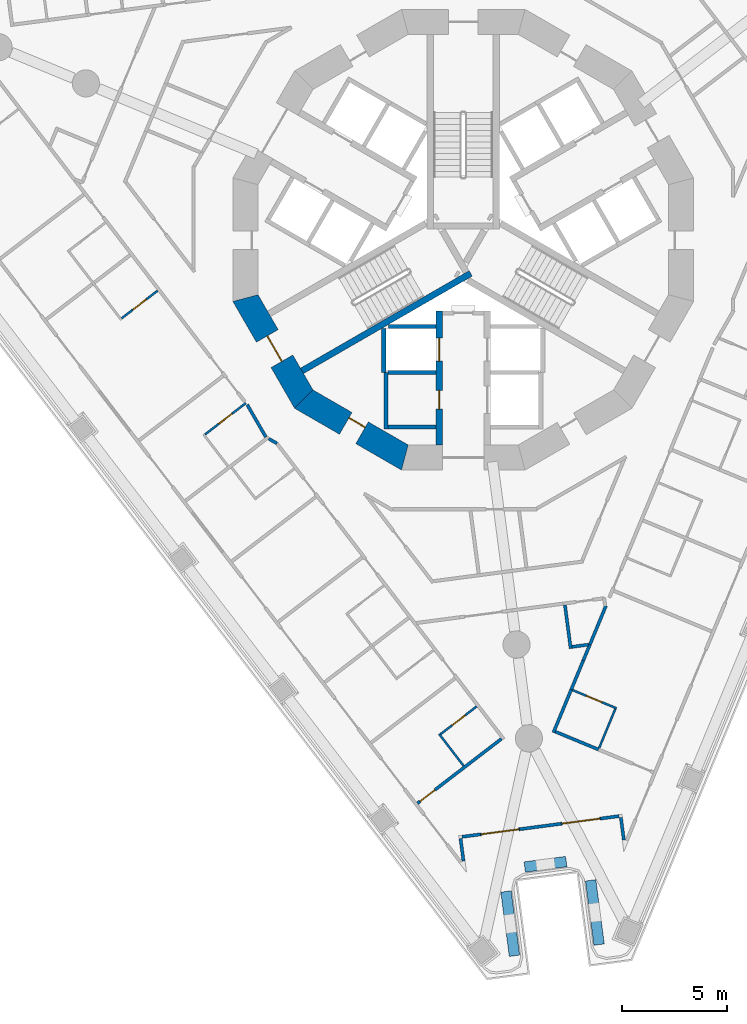
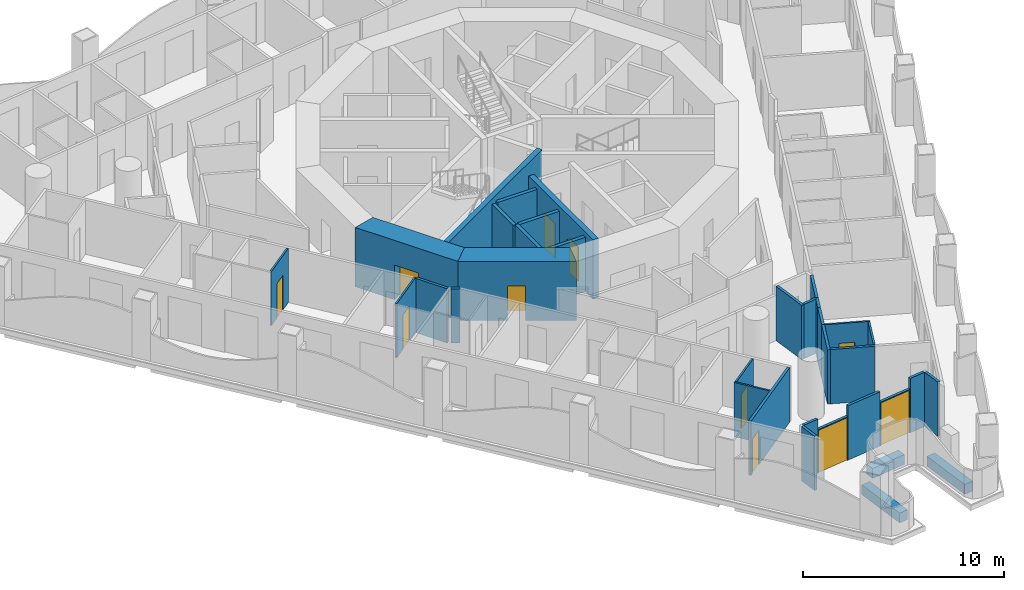
# One storey, part 3 of 19: 35 walls, 11 doors, 11 openings.
"""IFC4 building model written with IfcOpenShell, lengths in metres."""

import ifcopenshell
import ifcopenshell.guid

model = None  # the IFC model being written
_history = None  # IfcOwnerHistory: only IFC2X3 demands one
_inside = {}  # id of a spatial element -> (the spatial element, [elements in it])
_under = {}  # id of a project, library or spatial element -> (it, [spatial elements below it])
_declared = {}  # id of a project -> (the project, [libraries it declares])
_typed = {}  # id of a type object -> (the type object, [elements of that type])
_made_of = {}  # id of a material, layer set ... -> (it, [elements and type objects made of it])


def new_model(schema):
    """Start an empty IFC model of exactly this schema.

    Asked for "IFC4X3", IfcOpenShell would pick the latest addendum, in which some entities
    have other attributes; the version numbers below select the first issue.
    IFC2X3 requires an IfcOwnerHistory on every rooted entity: one is made here for all.
    """
    global model, _history
    if schema == "IFC4X3":
        model = ifcopenshell.file(schema_version=(4, 3, 0, 0))
    else:
        model = ifcopenshell.file(schema=schema)
    _inside.clear()
    _under.clear()
    _declared.clear()
    _typed.clear()
    _made_of.clear()
    _history = None
    if model.schema == "IFC2X3":
        org = make("IfcOrganization", Name="unknown")
        user = make(
            "IfcPersonAndOrganization",
            ThePerson=make("IfcPerson", FamilyName="unknown"),
            TheOrganization=org,
        )
        app = make(
            "IfcApplication",
            ApplicationDeveloper=org,
            Version="unknown",
            ApplicationFullName="unknown",
            ApplicationIdentifier="unknown",
        )
        _history = make(
            "IfcOwnerHistory",
            OwningUser=user,
            OwningApplication=app,
            ChangeAction="ADDED",
            CreationDate=0,
        )
    return model


def make(cls, **values):
    """One entity of the class cls with the attributes given. An attribute that is None is left unset."""
    return model.create_entity(
        cls, **{name: value for name, value in values.items() if value is not None}
    )


def rooted(cls, **values):
    """An entity with a GlobalId (a new one), such as an element, a storey or a relation."""
    return make(cls, GlobalId=ifcopenshell.guid.new(), OwnerHistory=_history, **values)


def si_unit(unit_type, name, prefix=None):
    """IfcSIUnit, for example si_unit("LENGTHUNIT", "METRE", prefix="MILLI")."""
    return make("IfcSIUnit", UnitType=unit_type, Prefix=prefix, Name=name)


def assignment(units):
    """IfcUnitAssignment: the units of a project."""
    return None if units is None else make("IfcUnitAssignment", Units=units)


def point(xyz):
    """IfcCartesianPoint."""
    return None if xyz is None else make("IfcCartesianPoint", Coordinates=xyz)


def direction(xyz):
    """IfcDirection."""
    return None if xyz is None else make("IfcDirection", DirectionRatios=xyz)


def frame(location, z_axis=None, x_axis=None):
    """IfcAxis2Placement3D, a coordinate frame: its origin and axes. An axis left out is left unset."""
    return make(
        "IfcAxis2Placement3D",
        Location=point(location),
        Axis=direction(z_axis),
        RefDirection=direction(x_axis),
    )


def frame_2d(location, x_axis=None):
    """IfcAxis2Placement2D, a coordinate frame in the plane: its origin and x axis."""
    return make(
        "IfcAxis2Placement2D", Location=point(location), RefDirection=direction(x_axis)
    )


def origin():
    """The frame at (0, 0, 0) with its axes left unset."""
    return frame((0.0, 0.0, 0.0))


def place(relative_to, where):
    """IfcLocalPlacement: puts the frame where relative to a parent placement (None: the world)."""
    return make(
        "IfcLocalPlacement", PlacementRelTo=relative_to, RelativePlacement=where
    )


def context(
    kind, dimensions, precision=None, world=None, true_north=None, identifier=None
):
    """IfcGeometricRepresentationContext, for example the 3D "Model" context."""
    return make(
        "IfcGeometricRepresentationContext",
        ContextIdentifier=identifier,
        ContextType=kind,
        CoordinateSpaceDimension=dimensions,
        Precision=precision,
        WorldCoordinateSystem=world,
        TrueNorth=true_north,
    )


def subcontext(parent, identifier, kind, view, scale=None):
    """IfcGeometricRepresentationSubContext, for example "Body" below "Model"."""
    return make(
        "IfcGeometricRepresentationSubContext",
        ContextIdentifier=identifier,
        ContextType=kind,
        ParentContext=parent,
        TargetScale=scale,
        TargetView=view,
    )


def project(units=None, contexts=None):
    """IfcProject with its units and contexts."""
    return rooted(
        "IfcProject",
        Name="project",
        RepresentationContexts=contexts,
        UnitsInContext=assignment(units),
    )


def spatial(cls, under=None, at=None, **own):
    """A site, building, storey or space (cls), placed at a placement, below another one or the project."""
    s = rooted(cls, ObjectPlacement=at, **own)
    if under is not None:
        _under.setdefault(under.id(), (under, []))[1].append(s)
    return s


def polyline(points):
    """IfcPolyline through the points."""
    return make("IfcPolyline", Points=[point(p) for p in points])


def profile(cls, at=None, kind="AREA", **sizes):
    """A parametric profile (cls). Its sizes go by their IFC names, for example OverallWidth=200.0."""
    return make(cls, ProfileType=kind, Position=at, **sizes)


def rectangle(**sizes):
    """IfcRectangleProfileDef."""
    return profile("IfcRectangleProfileDef", **sizes)


def outline(outer, holes=None, kind="AREA"):
    """IfcArbitraryClosedProfileDef: a profile drawn as a closed curve; with holes, ...WithVoids."""
    if holes is None:
        return make("IfcArbitraryClosedProfileDef", ProfileType=kind, OuterCurve=outer)
    return make(
        "IfcArbitraryProfileDefWithVoids",
        ProfileType=kind,
        OuterCurve=outer,
        InnerCurves=holes,
    )


def extrude(swept, where, along, depth):
    """IfcExtrudedAreaSolid: the profile swept, set in the frame where, extruded along a direction by depth."""
    return make(
        "IfcExtrudedAreaSolid",
        SweptArea=swept,
        Position=where,
        ExtrudedDirection=direction(along),
        Depth=depth,
    )


def shape(context_of_items, identifier, shape_type, items):
    """IfcShapeRepresentation: the items that make up one representation, for example the "Body"."""
    return make(
        "IfcShapeRepresentation",
        ContextOfItems=context_of_items,
        RepresentationIdentifier=identifier,
        RepresentationType=shape_type,
        Items=items,
    )


def material(Name=None, Category=None):
    """IfcMaterial."""
    return make("IfcMaterial", Name=Name, Category=Category)


def layer(
    of_material, thickness, ventilated=None, Name=None, Category=None, Priority=None
):
    """IfcMaterialLayer: one layer of a wall or slab, of a material (None: an air gap)."""
    return make(
        "IfcMaterialLayer",
        Material=of_material,
        LayerThickness=thickness,
        IsVentilated=ventilated,
        Name=Name,
        Category=Category,
        Priority=Priority,
    )


def layer_set(layers, Name=None):
    """IfcMaterialLayerSet."""
    return make("IfcMaterialLayerSet", MaterialLayers=layers, LayerSetName=Name)


def made_of(thing, what):
    """Note that an element or type object is made of a material, layer set ...; save() writes the relation."""
    if what is not None:
        _made_of.setdefault(what.id(), (what, []))[1].append(thing)
    return thing


def type_object(cls, material=None, **own):
    """A type object (cls), such as IfcWallType, which elements share."""
    return made_of(rooted(cls, **own), material)


def element(
    cls,
    number,
    at=None,
    inside=None,
    cuts=None,
    type_object=None,
    material=None,
    context=None,
    identifier="Body",
    shape_type=None,
    held_by="IfcProductDefinitionShape",
    body=None,
    shapes=None,
    **own,
):
    """One element of the class cls, such as IfcWall. Its Tag is "e" and its number.

    at: its placement. inside: the storey or other place that contains it. cuts: it is an
    opening in that element (IfcRelVoidsElement). A single representation is given by context,
    identifier, shape_type and body (its items); several are given by shapes. held_by: the class
    of the entity that holds the representations. save() writes the other relations.
    """
    e = rooted(cls, Tag="e%d" % number, ObjectPlacement=at, **own)
    if body is not None:
        shapes = [shape(context, identifier, shape_type, body)]
    if shapes is not None:
        e.Representation = make(held_by, Representations=shapes)
    if inside is not None:
        _inside.setdefault(inside.id(), (inside, []))[1].append(e)
    if cuts is not None:
        rooted(
            "IfcRelVoidsElement", RelatingBuildingElement=cuts, RelatedOpeningElement=e
        )
    if type_object is not None:
        _typed.setdefault(type_object.id(), (type_object, []))[1].append(e)
    return made_of(e, material)


def fill(opening, filler):
    """IfcRelFillsElement: the door or window that sits in an opening."""
    return rooted(
        "IfcRelFillsElement",
        RelatingOpeningElement=opening,
        RelatedBuildingElement=filler,
    )


def aggregate(whole, parts):
    """IfcRelAggregates: a whole, such as a stair, and the parts it consists of."""
    return rooted("IfcRelAggregates", RelatingObject=whole, RelatedObjects=parts)


def save(model, path):
    """Write the relations noted so far, then the file.

    IfcRelAggregates (storeys below a building ...), IfcRelContainedInSpatialStructure (elements
    in a storey), IfcRelDefinesByType, IfcRelAssociatesMaterial and IfcRelDeclares: one each for
    every whole, place, type object, material and project.
    """
    for whole, parts in _under.values():
        aggregate(whole, parts)
    for where, things in _inside.values():
        rooted(
            "IfcRelContainedInSpatialStructure",
            RelatedElements=things,
            RelatingStructure=where,
        )
    for kind, things in _typed.values():
        rooted("IfcRelDefinesByType", RelatedObjects=things, RelatingType=kind)
    for what, things in _made_of.values():
        rooted("IfcRelAssociatesMaterial", RelatedObjects=things, RelatingMaterial=what)
    for by, libraries in _declared.values():
        rooted("IfcRelDeclares", RelatingContext=by, RelatedDefinitions=libraries)
    model.write(path)


model = new_model("IFC4")

# Units and contexts
model_context = context("Model", 3, precision=1e-05, world=origin(), true_north=direction((0.0, 1.0)))
body_context = subcontext(model_context, "Body", "Model", "MODEL_VIEW")
ifc_project = project(units=[si_unit("LENGTHUNIT", "METRE"), si_unit("AREAUNIT", "SQUARE_METRE"), si_unit("VOLUMEUNIT", "CUBIC_METRE"), si_unit("PLANEANGLEUNIT", "RADIAN"), si_unit("MASSUNIT", "GRAM", prefix="KILO")], contexts=[model_context])

# Site, building, storey
site_placement = place(None, origin())
site = spatial("IfcSite", under=ifc_project, at=site_placement, CompositionType="ELEMENT")
building_placement = place(site_placement, origin())
building = spatial("IfcBuilding", under=site, at=building_placement, Name="Trine Commons Tower", CompositionType="ELEMENT")
storey_placement = place(building_placement, frame((0.0, 0.0, 75.60009765625)))
storey = spatial("IfcBuildingStorey", under=building, at=storey_placement, Name="L18", CompositionType="ELEMENT", Elevation=75.60009765625)

# Walls
ifc_material_1 = material(Name="Aluminium-framed insulated wall panel", Category="aluminium")
ifc_layer_1 = layer(ifc_material_1, 0.14990234375)
ifc_layer_set_1 = layer_set([ifc_layer_1], Name="Aluminium-framed insulated wall panel")
wall_type_1 = type_object("IfcWallType", Name="Glazed frame wall 150, EI 60", PredefinedType="SOLIDWALL", material=ifc_layer_set_1)
wall_1_placement = place(storey_placement, frame((87.6953125, 33.6591796875, 0.0), z_axis=(0.0, 0.0, 1.0), x_axis=(-0.130510858064, 0.991446880033, 0.0)))
element("IfcWall", 1, at=wall_1_placement, inside=storey, type_object=wall_type_1, Name="Glazed frame wall R9", PredefinedType="SOLIDWALL", context=body_context, shape_type="SweptSolid", body=[
    extrude(outline(polyline([(0.1494140625, 0.074951171875), (0.1494140625, -0.074951171875), (1.235107421875, -0.074951171875), (1.235107421875, 0.074951171875), (0.1494140625, 0.074951171875)])), origin(), (0.0, 0.0, 1.0), 3.2998046875),
])
wall_2_placement = place(storey_placement, frame((87.55908203125, 34.96240234375, 0.0), z_axis=(0.0, 0.0, 1.0), x_axis=(-0.991465094935, -0.130372410907, 0.0)))
element("IfcWall", 2, at=wall_2_placement, inside=storey, type_object=wall_type_1, Name="Glazed frame wall P3.1", PredefinedType="SOLIDWALL", context=body_context, shape_type="SweptSolid", body=[
    extrude(outline(polyline([(0.110107421875, -0.074951171875), (1.0, -0.074951171875), (1.0, 0.074951171875), (0.110107421875, 0.074951171875), (0.110107421875, -0.074951171875)])), origin(), (0.0, 0.0, 1.0), 3.2998046875),
])

# Wall, opening, door
wall_3_placement = place(storey_placement, frame((86.567626953125, 34.83203125, 0.0), z_axis=(0.0, 0.0, 1.0), x_axis=(-0.991442045538, -0.130547578832, 0.0)))
wall_3 = element("IfcWall", 3, at=wall_3_placement, inside=storey, type_object=wall_type_1, Name="Glazed frame wall P3.2", PredefinedType="SOLIDWALL", context=body_context, shape_type="SweptSolid", body=[
    extrude(outline(polyline([(0.0, -0.074951171875), (1.89990234375, -0.074951171875), (1.89990234375, 0.074951171875), (0.0, 0.074951171875), (0.0, -0.074951171875)])), origin(), (0.0, 0.0, 1.0), 2.64990234375),
])
opening_1_placement = place(wall_3_placement, frame((0.050048828125, 0.0, 0.0)))
opening_1 = element("IfcOpeningElement", 4, at=opening_1_placement, cuts=wall_3, Name="Opening BD-2P3-01", PredefinedType="OPENING", context=body_context, shape_type="SweptSolid", body=[
    extrude(rectangle(XDim=1.800048828125, YDim=2.60009765625, at=frame_2d((0.89990234375, 1.300048828125))), frame((0.0, 0.0849609375, 0.0), z_axis=(0.0, -1.0, 0.0), x_axis=(1.0, 0.0, 0.0)), (0.0, 0.0, 1.0), 0.169921875),
])
ifc_material_2 = material(Name="Anodised aluminium frame with double glazing", Category="aluminium")
door_type_1 = type_object("IfcDoorType", Name="Sliding loggia door 1800x2600", OperationType="SLIDING_TO_LEFT", PredefinedType="DOOR", material=ifc_material_2)
door_1_placement = place(opening_1_placement, origin())
door_1 = element("IfcDoor", 5, at=door_1_placement, inside=storey, type_object=door_type_1, Name="Loggia door P3 1", OperationType="SLIDING_TO_LEFT", OverallHeight=2.60009765625, OverallWidth=1.800048828125, PredefinedType="DOOR", context=body_context, shape_type="SweptSolid", body=[
    extrude(rectangle(XDim=1.800048828125, YDim=2.60009765625, at=frame_2d((0.89990234375, 1.300048828125))), frame((0.0, 0.02490234375, 0.0), z_axis=(0.0, -1.0, 0.0), x_axis=(1.0, 0.0, 0.0)), (0.0, 0.0, 1.0), 0.050048828125),
])
fill(opening_1, door_1)

# Wall
wall_4_placement = place(storey_placement, frame((84.683837890625, 34.583984375, 0.0), z_axis=(0.0, 0.0, 1.0), x_axis=(-0.991449308994, -0.130492404742, 0.0)))
element("IfcWall", 6, at=wall_4_placement, inside=storey, type_object=wall_type_1, Name="Glazed frame wall P3.3", PredefinedType="SOLIDWALL", context=body_context, shape_type="SweptSolid", body=[
    extrude(outline(polyline([(0.0, -0.074951171875), (2.0, -0.074951171875), (2.0, 0.074951171875), (0.0, 0.074951171875), (0.0, -0.074951171875)])), origin(), (0.0, 0.0, 1.0), 3.2998046875),
])

# Wall, opening, door
wall_5_placement = place(storey_placement, frame((82.700927734375, 34.322998046875, 0.0), z_axis=(0.0, 0.0, 1.0), x_axis=(-0.991442045538, -0.130547578832, 0.0)))
wall_5 = element("IfcWall", 7, at=wall_5_placement, inside=storey, type_object=wall_type_1, Name="Glazed frame wall P3.4", PredefinedType="SOLIDWALL", context=body_context, shape_type="SweptSolid", body=[
    extrude(outline(polyline([(0.0, -0.074951171875), (1.89990234375, -0.074951171875), (1.89990234375, 0.074951171875), (0.0, 0.074951171875), (0.0, -0.074951171875)])), origin(), (0.0, 0.0, 1.0), 2.64990234375),
])
opening_2_placement = place(wall_5_placement, frame((0.050048828125, 0.0, 0.0)))
opening_2 = element("IfcOpeningElement", 8, at=opening_2_placement, cuts=wall_5, Name="Opening BD-2P3-02", PredefinedType="OPENING", context=body_context, shape_type="SweptSolid", body=[
    extrude(rectangle(XDim=1.800048828125, YDim=2.60009765625, at=frame_2d((0.89990234375, 1.300048828125))), frame((0.0, 0.0849609375, 0.0), z_axis=(0.0, -1.0, 0.0), x_axis=(1.0, 0.0, 0.0)), (0.0, 0.0, 1.0), 0.169921875),
])
door_2_placement = place(opening_2_placement, origin())
door_2 = element("IfcDoor", 9, at=door_2_placement, inside=storey, type_object=door_type_1, Name="Loggia door P3 2", OperationType="SLIDING_TO_LEFT", OverallHeight=2.60009765625, OverallWidth=1.800048828125, PredefinedType="DOOR", context=body_context, shape_type="SweptSolid", body=[
    extrude(rectangle(XDim=1.800048828125, YDim=2.60009765625, at=frame_2d((0.89990234375, 1.300048828125))), frame((0.0, 0.02490234375, 0.0), z_axis=(0.0, -1.0, 0.0), x_axis=(1.0, 0.0, 0.0)), (0.0, 0.0, 1.0), 0.050048828125),
])
fill(opening_2, door_2)

# Walls
wall_6_placement = place(storey_placement, frame((80.817138671875, 34.074951171875, 0.0), z_axis=(0.0, 0.0, 1.0), x_axis=(-0.991433509034, -0.130612392842, 0.0)))
element("IfcWall", 10, at=wall_6_placement, inside=storey, type_object=wall_type_1, Name="Glazed frame wall P3.5", PredefinedType="SOLIDWALL", context=body_context, shape_type="SweptSolid", body=[
    extrude(outline(polyline([(0.889892578125, 0.074951171875), (0.0, 0.074951171875), (0.0, -0.074951171875), (0.889892578125, -0.074951171875), (0.889892578125, 0.074951171875)])), origin(), (0.0, 0.0, 1.0), 3.2998046875),
])
wall_7_placement = place(storey_placement, frame((79.85595703125, 33.983642578125, 0.0), z_axis=(0.0, 0.0, 1.0), x_axis=(0.130510858064, -0.991446880033, 0.0)))
element("IfcWall", 11, at=wall_7_placement, inside=storey, type_object=wall_type_1, Name="Glazed frame wall R11", PredefinedType="SOLIDWALL", context=body_context, shape_type="SweptSolid", body=[
    extrude(outline(polyline([(0.110107421875, 0.074951171875), (0.110107421875, -0.074951171875), (1.19580078125, -0.074951171875), (1.19580078125, 0.074951171875), (0.110107421875, 0.074951171875)])), origin(), (0.0, 0.0, 1.0), 3.2998046875),
])
ifc_material_3 = material(Name="Planter trough, precast concrete C40/50", Category="concrete")
ifc_layer_2 = layer(ifc_material_3, 0.5)
ifc_layer_set_2 = layer_set([ifc_layer_2], Name="Planter trough, precast concrete C40/50")
wall_type_2 = type_object("IfcWallType", Name="Planter trough 500x600", PredefinedType="PARAPET", material=ifc_layer_set_2)
wall_8_placement = place(storey_placement, frame((86.493408203125, 28.805908203125, 0.0), z_axis=(0.0, 0.0, 1.0), x_axis=(-0.130507484591, 0.9914473241, 0.0)))
element("IfcWall", 12, at=wall_8_placement, inside=storey, type_object=wall_type_2, Name="Planter 7", PredefinedType="PARAPET", context=body_context, shape_type="SweptSolid", body=[
    extrude(rectangle(XDim=3.099853515625, YDim=0.5, at=frame_2d((1.5498046875, 0.0))), origin(), (0.0, 0.0, 1.0), 0.599853515625),
])
wall_9_placement = place(storey_placement, frame((84.922119140625, 32.774658203125, 0.0), z_axis=(0.0, 0.0, 1.0), x_axis=(-0.991433509034, -0.130612392842, 0.0)))
element("IfcWall", 13, at=wall_9_placement, inside=storey, type_object=wall_type_2, Name="Planter 8", PredefinedType="PARAPET", context=body_context, shape_type="SweptSolid", body=[
    extrude(rectangle(XDim=2.0, YDim=0.5, at=frame_2d((1.0, 0.0))), origin(), (0.0, 0.0, 1.0), 0.599853515625),
])
wall_10_placement = place(storey_placement, frame((82.043701171875, 31.3466796875, 0.0), z_axis=(0.0, 0.0, 1.0), x_axis=(0.130574707151, -0.991438473054, 0.0)))
element("IfcWall", 14, at=wall_10_placement, inside=storey, type_object=wall_type_2, Name="Planter 9", PredefinedType="PARAPET", context=body_context, shape_type="SweptSolid", body=[
    extrude(rectangle(XDim=3.10009765625, YDim=0.5, at=frame_2d((1.550048828125, 0.0))), origin(), (0.0, 0.0, 1.0), 0.599853515625),
])

# Wall, opening, door
ifc_material_4 = material(Name="Concrete C80/95", Category="concrete")
ifc_layer_3 = layer(ifc_material_4, 1.199951171875)
ifc_layer_set_3 = layer_set([ifc_layer_3], Name="Concrete C80/95")
wall_type_3 = type_object("IfcWallType", Name="RC shear wall 1200 mm, C80/95", PredefinedType="SHEAR", material=ifc_layer_set_3)
wall_11_placement = place(storey_placement, frame((69.508056640625, 59.849609375, 0.0), z_axis=(0.0, 0.0, 1.0), x_axis=(0.499979111662, -0.866037463336, 0.0)))
wall_11 = element("IfcWall", 15, at=wall_11_placement, inside=storey, type_object=wall_type_3, Name="Core wall CWB-08 L18", PredefinedType="SHEAR", context=body_context, shape_type="SweptSolid", body=[
    extrude(outline(polyline([(0.0, -0.60009765625), (5.901123046875, -0.60009765625), (5.57958984375, 0.60009765625), (0.321533203125, 0.60009765625), (0.0, -0.60009765625)])), origin(), (0.0, 0.0, 1.0), 3.599853515625),
])
opening_3_placement = place(wall_11_placement, frame((2.25048828125, 0.0, 0.0)))
opening_3 = element("IfcOpeningElement", 16, at=opening_3_placement, cuts=wall_11, Name="Opening K05.02", PredefinedType="OPENING", context=body_context, shape_type="SweptSolid", body=[
    extrude(rectangle(XDim=1.39990234375, YDim=2.10009765625, at=frame_2d((0.699951171875, 1.050048828125))), frame((0.0, 0.60986328125, 0.0), z_axis=(0.0, -1.0, 0.0), x_axis=(1.0, 0.0, 0.0)), (0.0, 0.0, 1.0), 1.219970703125),
])
ifc_material_5 = material(Name="Steel door leaves, fire-rated", Category="steel")
door_type_2 = type_object("IfcDoorType", Name="Stair door, double leaf 1400 x 2100, FD90", OperationType="DOUBLE_DOOR_SINGLE_SWING", PredefinedType="DOOR", material=ifc_material_5)
door_3_placement = place(opening_3_placement, origin())
door_3 = element("IfcDoor", 17, at=door_3_placement, inside=storey, type_object=door_type_2, Name="Stair door to Exit stair ST2A L18", OperationType="DOUBLE_DOOR_SINGLE_SWING", OverallHeight=2.10009765625, OverallWidth=1.39990234375, PredefinedType="DOOR", context=body_context, shape_type="SweptSolid", body=[
    extrude(rectangle(XDim=1.39990234375, YDim=2.10009765625, at=frame_2d((0.699951171875, 1.050048828125))), frame((0.0, 0.02490234375, 0.0), z_axis=(0.0, -1.0, 0.0), x_axis=(1.0, 0.0, 0.0)), (0.0, 0.0, 1.0), 0.050048828125),
])
fill(opening_3, door_3)

wall_12_placement = place(storey_placement, frame((72.239013671875, 54.95849609375, 0.0), z_axis=(0.0, 0.0, 1.0), x_axis=(0.866037463336, -0.499979111662, 0.0)))
wall_12 = element("IfcWall", 18, at=wall_12_placement, inside=storey, type_object=wall_type_3, Name="Core wall CWB-09 L18", PredefinedType="SHEAR", context=body_context, shape_type="SweptSolid", body=[
    extrude(outline(polyline([(0.0, -0.60009765625), (5.901123046875, -0.60009765625), (5.57958984375, 0.60009765625), (0.321533203125, 0.60009765625), (0.0, -0.60009765625)])), origin(), (0.0, 0.0, 1.0), 3.599853515625),
])
opening_4_placement = place(wall_12_placement, frame((2.4765625, 0.0, 0.0)))
opening_4 = element("IfcOpeningElement", 19, at=opening_4_placement, cuts=wall_12, Name="Opening K05.14", PredefinedType="OPENING", context=body_context, shape_type="SweptSolid", body=[
    extrude(rectangle(XDim=0.89990234375, YDim=2.10009765625, at=frame_2d((0.449951171875, 1.050048828125))), frame((0.0, 0.60986328125, 0.0), z_axis=(0.0, -1.0, 0.0), x_axis=(1.0, 0.0, 0.0)), (0.0, 0.0, 1.0), 1.219970703125),
])
ifc_material_6 = material(Name="Steel door leaf, fire-rated", Category="steel")
door_type_3 = type_object("IfcDoorType", Name="Core room door, single leaf 900 x 2100, FD30S", OperationType="SINGLE_SWING_LEFT", PredefinedType="DOOR", material=ifc_material_6)
door_4_placement = place(opening_4_placement, origin())
door_4 = element("IfcDoor", 20, at=door_4_placement, inside=storey, type_object=door_type_3, Name="Door to Parcel store L18", OperationType="SINGLE_SWING_LEFT", OverallHeight=2.10009765625, OverallWidth=0.89990234375, PredefinedType="DOOR", context=body_context, shape_type="SweptSolid", body=[
    extrude(rectangle(XDim=0.89990234375, YDim=2.10009765625, at=frame_2d((0.449951171875, 1.050048828125))), frame((0.0, 0.3251953125, 0.0), z_axis=(0.0, -1.0, 0.0), x_axis=(1.0, 0.0, 0.0)), (0.0, 0.0, 1.0), 0.050048828125),
])
fill(opening_4, door_4)

# Wall, openings, doors
ifc_layer_4 = layer(ifc_material_4, 0.300048828125)
ifc_layer_set_4 = layer_set([ifc_layer_4], Name="Concrete C80/95")
wall_type_4 = type_object("IfcWallType", Name="RC shear wall 300 mm, C80/95", PredefinedType="SHEAR", material=ifc_layer_set_4)
wall_13_placement = place(storey_placement, frame((78.85009765625, 59.10009765625, 0.0), z_axis=(0.0, 0.0, 1.0), x_axis=(0.0, -1.0, 0.0)))
wall_13 = element("IfcWall", 21, at=wall_13_placement, inside=storey, type_object=wall_type_4, Name="Core cross wall SWA-03 L18", PredefinedType="SHEAR", context=body_context, shape_type="SweptSolid", body=[
    extrude(rectangle(XDim=6.412109375, YDim=0.300048828125, at=frame_2d((3.2060546875, 0.0))), origin(), (0.0, 0.0, 1.0), 3.599853515625),
])
opening_5_placement = place(wall_13_placement, frame((3.800048828125, 0.0, 0.0)))
opening_5 = element("IfcOpeningElement", 22, at=opening_5_placement, cuts=wall_13, Name="Opening K05.10", PredefinedType="OPENING", context=body_context, shape_type="SweptSolid", body=[
    extrude(rectangle(XDim=0.89990234375, YDim=2.10009765625, at=frame_2d((0.449951171875, 1.050048828125))), frame((0.0, 0.159912109375, 0.0), z_axis=(0.0, -1.0, 0.0), x_axis=(1.0, 0.0, 0.0)), (0.0, 0.0, 1.0), 0.320068359375),
])
opening_6_placement = place(wall_13_placement, frame((1.300048828125, 0.0, 0.0)))
opening_6 = element("IfcOpeningElement", 23, at=opening_6_placement, cuts=wall_13, Name="Opening LD10", PredefinedType="OPENING", context=body_context, shape_type="SweptSolid", body=[
    extrude(rectangle(XDim=1.10009765625, YDim=2.10009765625, at=frame_2d((0.550048828125, 1.050048828125))), frame((0.0, 0.159912109375, 0.0), z_axis=(0.0, -1.0, 0.0), x_axis=(1.0, 0.0, 0.0)), (0.0, 0.0, 1.0), 0.320068359375),
])
door_5_placement = place(opening_5_placement, frame((0.89990234375, 0.0, 0.0), z_axis=(0.0, 0.0, 1.0), x_axis=(-1.0, 0.0, 0.0)))
door_5 = element("IfcDoor", 24, at=door_5_placement, inside=storey, type_object=door_type_3, Name="Door to Linen store L18", OperationType="SINGLE_SWING_RIGHT", OverallHeight=2.10009765625, OverallWidth=0.89990234375, PredefinedType="DOOR", context=body_context, shape_type="SweptSolid", body=[
    extrude(rectangle(XDim=0.89990234375, YDim=2.10009765625, at=frame_2d((0.449951171875, 1.050048828125))), frame((0.0, 0.02490234375, 0.0), z_axis=(0.0, -1.0, 0.0), x_axis=(1.0, 0.0, 0.0)), (0.0, 0.0, 1.0), 0.050048828125),
])
fill(opening_5, door_5)
ifc_material_7 = material(Name="Stainless steel sliding door leaves", Category="steel")
door_type_4 = type_object("IfcDoorType", Name="Lift landing door, centre-opening sliding 1100 x 2100, FD90", OperationType="DOUBLE_DOOR_SLIDING", PredefinedType="DOOR", material=ifc_material_7)
door_6_placement = place(opening_6_placement, origin())
door_6 = element("IfcDoor", 25, at=door_6_placement, inside=storey, type_object=door_type_4, Name="Lift landing door FF2 L18", OperationType="DOUBLE_DOOR_SLIDING", OverallHeight=2.10009765625, OverallWidth=1.10009765625, PredefinedType="DOOR", context=body_context, shape_type="SweptSolid", body=[
    extrude(rectangle(XDim=1.10009765625, YDim=2.10009765625, at=frame_2d((0.550048828125, 1.050048828125))), frame((0.0, 0.02490234375, 0.0), z_axis=(0.0, -1.0, 0.0), x_axis=(1.0, 0.0, 0.0)), (0.0, 0.0, 1.0), 0.050048828125),
])
fill(opening_6, door_6)

# Walls
wall_14_placement = place(storey_placement, frame((80.35400390625, 60.885986328125, 0.0), z_axis=(0.0, 0.0, 1.0), x_axis=(-0.865986456211, -0.50006745311, 0.0)))
element("IfcWall", 26, at=wall_14_placement, inside=storey, type_object=wall_type_4, Name="Core cross wall SWA-14 L18", PredefinedType="SHEAR", context=body_context, shape_type="SweptSolid", body=[
    extrude(rectangle(XDim=9.310791015625, YDim=0.300048828125, at=frame_2d((4.6552734375, 0.0))), origin(), (0.0, 0.0, 1.0), 3.599853515625),
])
ifc_material_8 = material(Name="Fire-rated gypsum shaft wall system")
ifc_layer_5 = layer(ifc_material_8, 0.199951171875)
ifc_layer_set_5 = layer_set([ifc_layer_5], Name="Fire-rated gypsum shaft wall system")
wall_type_5 = type_object("IfcWallType", Name="Shaft wall 200 mm, EI 120", PredefinedType="PARTITIONING", material=ifc_layer_set_5)
wall_15_placement = place(storey_placement, frame((76.199951171875, 58.256103515625, 0.0), z_axis=(0.0, 0.0, 1.0), x_axis=(0.0, -1.0, 0.0)))
element("IfcWall", 27, at=wall_15_placement, inside=storey, type_object=wall_type_5, Name="Shaft wall L18", PredefinedType="PARTITIONING", context=body_context, shape_type="SweptSolid", body=[
    extrude(rectangle(XDim=2.106201171875, YDim=0.199951171875, at=frame_2d((1.05322265625, 0.0))), origin(), (0.0, 0.0, 1.0), 3.2998046875),
])
wall_16_placement = place(storey_placement, frame((76.300048828125, 56.14990234375, 0.0), z_axis=(0.0, 0.0, 1.0), x_axis=(0.0, -1.0, 0.0)))
element("IfcWall", 28, at=wall_16_placement, inside=storey, type_object=wall_type_5, Name="Shaft wall L18", PredefinedType="PARTITIONING", context=body_context, shape_type="SweptSolid", body=[
    extrude(rectangle(XDim=2.699951171875, YDim=0.199951171875, at=frame_2d((1.35009765625, 0.0))), origin(), (0.0, 0.0, 1.0), 3.2998046875),
])
for number, where, z_axis, x_axis, name in (
    (29, (78.699951171875, 53.550048828125, 0.0), (0.0, 0.0, 1.0), (-1.0, 0.0, 0.0), "Shaft wall L18"),
    (30, (78.699951171875, 56.14990234375, 0.0), (0.0, 0.0, 1.0), (-1.0, 0.0, 0.0), "Shaft wall L18"),
):
    element("IfcWall", number, at=place(storey_placement, frame(where, z_axis=z_axis, x_axis=x_axis)), inside=storey, type_object=wall_type_5, Name=name, PredefinedType="PARTITIONING", context=body_context, shape_type="SweptSolid", body=[
        extrude(rectangle(XDim=2.300048828125, YDim=0.199951171875, at=frame_2d((1.14990234375, 0.0))), origin(), (0.0, 0.0, 1.0), 3.2998046875),
    ])
wall_17_placement = place(storey_placement, frame((78.699951171875, 58.35009765625, 0.0), z_axis=(0.0, 0.0, 1.0), x_axis=(-1.0, 0.0, 0.0)))
element("IfcWall", 31, at=wall_17_placement, inside=storey, type_object=wall_type_5, Name="Shaft wall L18", PredefinedType="PARTITIONING", context=body_context, shape_type="SweptSolid", body=[
    extrude(rectangle(XDim=2.264892578125, YDim=0.199951171875, at=frame_2d((1.13232421875, 0.0))), origin(), (0.0, 0.0, 1.0), 3.2998046875),
])
ifc_material_9 = material(Name="Gypsum plasterboard on steel stud", Category="steel")
ifc_layer_6 = layer(ifc_material_9, 0.14990234375)
ifc_layer_set_6 = layer_set([ifc_layer_6], Name="Gypsum plasterboard on steel stud")
wall_type_6 = type_object("IfcWallType", Name="Unit and corridor wall 150 mm, EI 60", PredefinedType="PARTITIONING", material=ifc_layer_set_6)
wall_18_placement = place(storey_placement, frame((69.674072265625, 54.612060546875, 0.0), z_axis=(0.0, 0.0, 1.0), x_axis=(0.499655352634, -0.866224294616, 0.0)))
element("IfcWall", 32, at=wall_18_placement, inside=storey, type_object=wall_type_6, Name="Partition 047", PredefinedType="PARTITIONING", context=body_context, shape_type="SweptSolid", body=[
    extrude(rectangle(XDim=1.784912109375, YDim=0.14990234375, at=frame_2d((0.892578125, 0.0))), origin(), (0.0, 0.0, 1.0), 3.2998046875),
])
wall_19_placement = place(storey_placement, frame((70.701904296875, 52.987548828125, 0.0), z_axis=(0.0, 0.0, 1.0), x_axis=(0.866382612495, -0.499380785339, 0.0)))
element("IfcWall", 33, at=wall_19_placement, inside=storey, type_object=wall_type_6, Name="Partition 052", PredefinedType="PARTITIONING", context=body_context, shape_type="SweptSolid", body=[
    extrude(rectangle(XDim=0.45361328125, YDim=0.14990234375, at=frame_2d((0.226806640625, 0.0))), origin(), (0.0, 0.0, 1.0), 3.2998046875),
])

# Wall, opening, door
wall_20_placement = place(storey_placement, frame((77.810791015625, 35.560302734375, 0.0), z_axis=(0.0, 0.0, 1.0), x_axis=(0.793261664916, 0.60888088406, 0.0)))
wall_20 = element("IfcWall", 34, at=wall_20_placement, inside=storey, type_object=wall_type_6, Name="Partition 072", PredefinedType="PARTITIONING", context=body_context, shape_type="SweptSolid", body=[
    extrude(rectangle(XDim=5.0634765625, YDim=0.14990234375, at=frame_2d((2.53173828125, 0.0))), origin(), (0.0, 0.0, 1.0), 3.2998046875),
])
opening_7_placement = place(wall_20_placement, frame((0.14990234375, 0.0, 0.0)))
opening_7 = element("IfcOpeningElement", 35, at=opening_7_placement, cuts=wall_20, Name="Opening D-2C24", PredefinedType="OPENING", context=body_context, shape_type="SweptSolid", body=[
    extrude(rectangle(XDim=0.89990234375, YDim=2.10009765625, at=frame_2d((0.449951171875, 1.050048828125))), frame((0.0, 0.0849609375, 0.0), z_axis=(0.0, -1.0, 0.0), x_axis=(1.0, 0.0, 0.0)), (0.0, 0.0, 1.0), 0.169921875),
])
ifc_material_10 = material(Name="Timber fire door set", Category="wood")
door_type_5 = type_object("IfcDoorType", Name="Bedroom door 900 x 2100, FD30S", OperationType="NOTDEFINED", PredefinedType="DOOR", material=ifc_material_10)
door_7_placement = place(opening_7_placement, origin())
door_7 = element("IfcDoor", 36, at=door_7_placement, inside=storey, type_object=door_type_5, Name="Door D-2C24", OperationType="SINGLE_SWING_LEFT", OverallHeight=2.10009765625, OverallWidth=0.89990234375, PredefinedType="DOOR", context=body_context, shape_type="SweptSolid", body=[
    extrude(rectangle(XDim=0.89990234375, YDim=2.10009765625, at=frame_2d((0.449951171875, 1.050048828125))), frame((0.0, 0.02490234375, 0.0), z_axis=(0.0, -1.0, 0.0), x_axis=(1.0, 0.0, 0.0)), (0.0, 0.0, 1.0), 0.050048828125),
])
fill(opening_7, door_7)

# Walls
wall_21_placement = place(storey_placement, frame((84.310302734375, 38.941650390625, 0.0), z_axis=(0.0, 0.0, 1.0), x_axis=(0.382789938294, 0.923835409118, 0.0)))
element("IfcWall", 37, at=wall_21_placement, inside=storey, type_object=wall_type_6, Name="Partition 087", PredefinedType="PARTITIONING", context=body_context, shape_type="SweptSolid", body=[
    extrude(rectangle(XDim=2.280029296875, YDim=0.14990234375, at=frame_2d((1.14013671875, 0.0))), origin(), (0.0, 0.0, 1.0), 3.2998046875),
])
wall_22_placement = place(storey_placement, frame((84.408203125, 38.982421875, 0.0), z_axis=(0.0, 0.0, 1.0), x_axis=(0.923765743921, -0.382958026888, 0.0)))
element("IfcWall", 38, at=wall_22_placement, inside=storey, type_object=wall_type_6, Name="Partition 088", PredefinedType="PARTITIONING", context=body_context, shape_type="SweptSolid", body=[
    extrude(rectangle(XDim=2.228759765625, YDim=0.14990234375, at=frame_2d((1.1142578125, 0.0))), origin(), (0.0, 0.0, 1.0), 3.2998046875),
])
wall_23_placement = place(storey_placement, frame((84.86083984375, 45.03759765625, 0.0), z_axis=(0.0, 0.0, 1.0), x_axis=(0.130899564309, -0.991395634479, 0.0)))
element("IfcWall", 39, at=wall_23_placement, inside=storey, type_object=wall_type_6, Name="Partition 090", PredefinedType="PARTITIONING", context=body_context, shape_type="SweptSolid", body=[
    extrude(rectangle(XDim=2.10009765625, YDim=0.14990234375, at=frame_2d((1.050048828125, 0.0))), origin(), (0.0, 0.0, 1.0), 3.2998046875),
])
wall_24_placement = place(storey_placement, frame((85.200439453125, 43.039794921875, 0.0), z_axis=(0.0, 0.0, 1.0), x_axis=(0.991515431038, 0.129989038049, 0.0)))
element("IfcWall", 40, at=wall_24_placement, inside=storey, type_object=wall_type_6, Name="Partition 091", PredefinedType="PARTITIONING", context=body_context, shape_type="SweptSolid", body=[
    extrude(rectangle(XDim=0.786865234375, YDim=0.14990234375, at=frame_2d((0.3935546875, 0.0))), origin(), (0.0, 0.0, 1.0), 3.2998046875),
])
wall_25_placement = place(storey_placement, frame((85.160888671875, 40.993896484375, 0.0), z_axis=(0.0, 0.0, 1.0), x_axis=(0.382519732759, 0.923947322118, 0.0)))
element("IfcWall", 41, at=wall_25_placement, inside=storey, type_object=wall_type_6, Name="Partition 092", PredefinedType="PARTITIONING", context=body_context, shape_type="SweptSolid", body=[
    extrude(rectangle(XDim=1.498046875, YDim=0.14990234375, at=frame_2d((0.7490234375, 0.0))), origin(), (0.0, 0.0, 1.0), 3.2998046875),
])
wall_26_placement = place(storey_placement, frame((85.73388671875, 42.3779296875, 0.0), z_axis=(0.0, 0.0, 1.0), x_axis=(0.383063523393, 0.923722002036, 0.0)))
element("IfcWall", 42, at=wall_26_placement, inside=storey, type_object=wall_type_6, Name="Partition 097", PredefinedType="PARTITIONING", context=body_context, shape_type="SweptSolid", body=[
    extrude(rectangle(XDim=0.838134765625, YDim=0.14990234375, at=frame_2d((0.4189453125, 0.0))), origin(), (0.0, 0.0, 1.0), 3.2998046875),
])
wall_27_placement = place(storey_placement, frame((86.054931640625, 43.152099609375, 0.0), z_axis=(0.0, 0.0, 1.0), x_axis=(0.382829605696, 0.923818971987, 0.0)))
element("IfcWall", 43, at=wall_27_placement, inside=storey, type_object=wall_type_6, Name="Partition 098", PredefinedType="PARTITIONING", context=body_context, shape_type="SweptSolid", body=[
    extrude(rectangle(XDim=2.00048828125, YDim=0.14990234375, at=frame_2d((1.000244140625, 0.0))), origin(), (0.0, 0.0, 1.0), 3.2998046875),
])

# Wall, opening, door
ifc_layer_7 = layer(ifc_material_9, 0.10009765625)
ifc_layer_set_7 = layer_set([ifc_layer_7], Name="Gypsum plasterboard on steel stud")
wall_type_7 = type_object("IfcWallType", Name="Unit partition 100 mm, no rating", PredefinedType="PARTITIONING", material=ifc_layer_set_7)
wall_28_placement = place(storey_placement, frame((63.666748046875, 58.73828125, 0.0), z_axis=(0.0, 0.0, 1.0), x_axis=(0.793203445283, 0.608956726206, 0.0)))
wall_28 = element("IfcWall", 44, at=wall_28_placement, inside=storey, type_object=wall_type_7, Name="Partition 025", PredefinedType="PARTITIONING", context=body_context, shape_type="SweptSolid", body=[
    extrude(rectangle(XDim=2.17578125, YDim=0.10009765625, at=frame_2d((1.087890625, 0.0))), origin(), (0.0, 0.0, 1.0), 3.2998046875),
])
opening_8_placement = place(wall_28_placement, frame((0.68798828125, 0.0, 0.0)))
opening_8 = element("IfcOpeningElement", 45, at=opening_8_placement, cuts=wall_28, Name="Opening D-2C62", PredefinedType="OPENING", context=body_context, shape_type="SweptSolid", body=[
    extrude(rectangle(XDim=0.800048828125, YDim=2.10009765625, at=frame_2d((0.39990234375, 1.050048828125))), frame((0.0, 0.06005859375, 0.0), z_axis=(0.0, -1.0, 0.0), x_axis=(1.0, 0.0, 0.0)), (0.0, 0.0, 1.0), 0.1201171875),
])
ifc_material_11 = material(Name="Painted timber", Category="wood")
door_type_6 = type_object("IfcDoorType", Name="Internal door 800 x 2100, NOT RATED", OperationType="NOTDEFINED", PredefinedType="DOOR", material=ifc_material_11)
door_8_placement = place(opening_8_placement, frame((0.800048828125, 0.0, 0.0), z_axis=(0.0, 0.0, 1.0), x_axis=(-1.0, 0.0, 0.0)))
door_8 = element("IfcDoor", 46, at=door_8_placement, inside=storey, type_object=door_type_6, Name="Door D-2C62", OperationType="SINGLE_SWING_LEFT", OverallHeight=2.10009765625, OverallWidth=0.800048828125, PredefinedType="DOOR", context=body_context, shape_type="SweptSolid", body=[
    extrude(rectangle(XDim=0.800048828125, YDim=2.10009765625, at=frame_2d((0.39990234375, 1.050048828125))), frame((0.0, 0.02490234375, 0.0), z_axis=(0.0, -1.0, 0.0), x_axis=(1.0, 0.0, 0.0)), (0.0, 0.0, 1.0), 0.050048828125),
])
fill(opening_8, door_8)

wall_29_placement = place(storey_placement, frame((67.65478515625, 53.189453125, 0.0), z_axis=(0.0, 0.0, 1.0), x_axis=(0.79352183508, 0.608541779381, 0.0)))
wall_29 = element("IfcWall", 47, at=wall_29_placement, inside=storey, type_object=wall_type_7, Name="Partition 043", PredefinedType="PARTITIONING", context=body_context, shape_type="SweptSolid", body=[
    extrude(rectangle(XDim=2.464111328125, YDim=0.10009765625, at=frame_2d((1.23193359375, 0.0))), origin(), (0.0, 0.0, 1.0), 3.2998046875),
])
opening_9_placement = place(wall_29_placement, frame((0.83203125, 0.0, 0.0)))
opening_9 = element("IfcOpeningElement", 48, at=opening_9_placement, cuts=wall_29, Name="Opening D-2C61", PredefinedType="OPENING", context=body_context, shape_type="SweptSolid", body=[
    extrude(rectangle(XDim=0.800048828125, YDim=2.10009765625, at=frame_2d((0.39990234375, 1.050048828125))), frame((0.0, 0.06005859375, 0.0), z_axis=(0.0, -1.0, 0.0), x_axis=(1.0, 0.0, 0.0)), (0.0, 0.0, 1.0), 0.1201171875),
])
door_9_placement = place(opening_9_placement, origin())
door_9 = element("IfcDoor", 49, at=door_9_placement, inside=storey, type_object=door_type_6, Name="Door D-2C61", OperationType="SINGLE_SWING_LEFT", OverallHeight=2.10009765625, OverallWidth=0.800048828125, PredefinedType="DOOR", context=body_context, shape_type="SweptSolid", body=[
    extrude(rectangle(XDim=0.800048828125, YDim=2.10009765625, at=frame_2d((0.39990234375, 1.050048828125))), frame((0.0, 0.02490234375, 0.0), z_axis=(0.0, -1.0, 0.0), x_axis=(1.0, 0.0, 0.0)), (0.0, 0.0, 1.0), 0.050048828125),
])
fill(opening_9, door_9)

# Wall
wall_30_placement = place(storey_placement, frame((78.845703125, 38.875732421875, 0.0), z_axis=(0.0, 0.0, 1.0), x_axis=(0.608649853766, -0.793438942522, 0.0)))
element("IfcWall", 50, at=wall_30_placement, inside=storey, type_object=wall_type_7, Name="Partition 075", PredefinedType="PARTITIONING", context=body_context, shape_type="SweptSolid", body=[
    extrude(rectangle(XDim=1.925048828125, YDim=0.10009765625, at=frame_2d((0.96240234375, 0.0))), origin(), (0.0, 0.0, 1.0), 3.2998046875),
])

# Wall, opening, door
wall_31_placement = place(storey_placement, frame((78.915771484375, 38.866455078125, 0.0), z_axis=(0.0, 0.0, 1.0), x_axis=(0.793266438723, 0.608874664603, 0.0)))
wall_31 = element("IfcWall", 51, at=wall_31_placement, inside=storey, type_object=wall_type_7, Name="Partition 076", PredefinedType="PARTITIONING", context=body_context, shape_type="SweptSolid", body=[
    extrude(rectangle(XDim=2.174072265625, YDim=0.10009765625, at=frame_2d((1.0869140625, 0.0))), origin(), (0.0, 0.0, 1.0), 3.2998046875),
])
opening_10_placement = place(wall_31_placement, frame((0.687255859375, 0.0, 0.0)))
opening_10 = element("IfcOpeningElement", 52, at=opening_10_placement, cuts=wall_31, Name="Opening D-2C57", PredefinedType="OPENING", context=body_context, shape_type="SweptSolid", body=[
    extrude(rectangle(XDim=0.800048828125, YDim=2.10009765625, at=frame_2d((0.39990234375, 1.050048828125))), frame((0.0, 0.06005859375, 0.0), z_axis=(0.0, -1.0, 0.0), x_axis=(1.0, 0.0, 0.0)), (0.0, 0.0, 1.0), 0.1201171875),
])
door_10_placement = place(opening_10_placement, origin())
door_10 = element("IfcDoor", 53, at=door_10_placement, inside=storey, type_object=door_type_6, Name="Door D-2C57", OperationType="SINGLE_SWING_RIGHT", OverallHeight=2.10009765625, OverallWidth=0.800048828125, PredefinedType="DOOR", context=body_context, shape_type="SweptSolid", body=[
    extrude(rectangle(XDim=0.800048828125, YDim=2.10009765625, at=frame_2d((0.39990234375, 1.050048828125))), frame((0.0, 0.02490234375, 0.0), z_axis=(0.0, -1.0, 0.0), x_axis=(1.0, 0.0, 0.0)), (0.0, 0.0, 1.0), 0.050048828125),
])
fill(opening_10, door_10)

wall_32_placement = place(storey_placement, frame((85.231201171875, 40.96923828125, 0.0), z_axis=(0.0, 0.0, 1.0), x_axis=(0.923931833824, -0.382557141415, 0.0)))
wall_32 = element("IfcWall", 54, at=wall_32_placement, inside=storey, type_object=wall_type_7, Name="Partition 094", PredefinedType="PARTITIONING", context=body_context, shape_type="SweptSolid", body=[
    extrude(rectangle(XDim=2.275146484375, YDim=0.10009765625, at=frame_2d((1.1376953125, 0.0))), origin(), (0.0, 0.0, 1.0), 3.2998046875),
])
opening_11_placement = place(wall_32_placement, frame((0.71240234375, 0.0, 0.0)))
opening_11 = element("IfcOpeningElement", 55, at=opening_11_placement, cuts=wall_32, Name="Opening D-2C56", PredefinedType="OPENING", context=body_context, shape_type="SweptSolid", body=[
    extrude(rectangle(XDim=0.800048828125, YDim=2.10009765625, at=frame_2d((0.39990234375, 1.050048828125))), frame((0.0, 0.06005859375, 0.0), z_axis=(0.0, -1.0, 0.0), x_axis=(1.0, 0.0, 0.0)), (0.0, 0.0, 1.0), 0.1201171875),
])
door_11_placement = place(opening_11_placement, origin())
door_11 = element("IfcDoor", 56, at=door_11_placement, inside=storey, type_object=door_type_6, Name="Door D-2C56", OperationType="SINGLE_SWING_LEFT", OverallHeight=2.10009765625, OverallWidth=0.800048828125, PredefinedType="DOOR", context=body_context, shape_type="SweptSolid", body=[
    extrude(rectangle(XDim=0.800048828125, YDim=2.10009765625, at=frame_2d((0.39990234375, 1.050048828125))), frame((0.0, 0.02490234375, 0.0), z_axis=(0.0, -1.0, 0.0), x_axis=(1.0, 0.0, 0.0)), (0.0, 0.0, 1.0), 0.050048828125),
])
fill(opening_11, door_11)

# Wall
wall_33_placement = place(storey_placement, frame((86.49267578125, 38.2001953125, 0.0), z_axis=(0.0, 0.0, 1.0), x_axis=(0.382646278951, 0.923894921084, 0.0)))
element("IfcWall", 57, at=wall_33_placement, inside=storey, type_object=wall_type_7, Name="Partition 100", PredefinedType="PARTITIONING", context=body_context, shape_type="SweptSolid", body=[
    extrude(rectangle(XDim=2.025634765625, YDim=0.10009765625, at=frame_2d((1.0126953125, 0.0))), origin(), (0.0, 0.0, 1.0), 3.2998046875),
])

save(model, "model.ifc")
